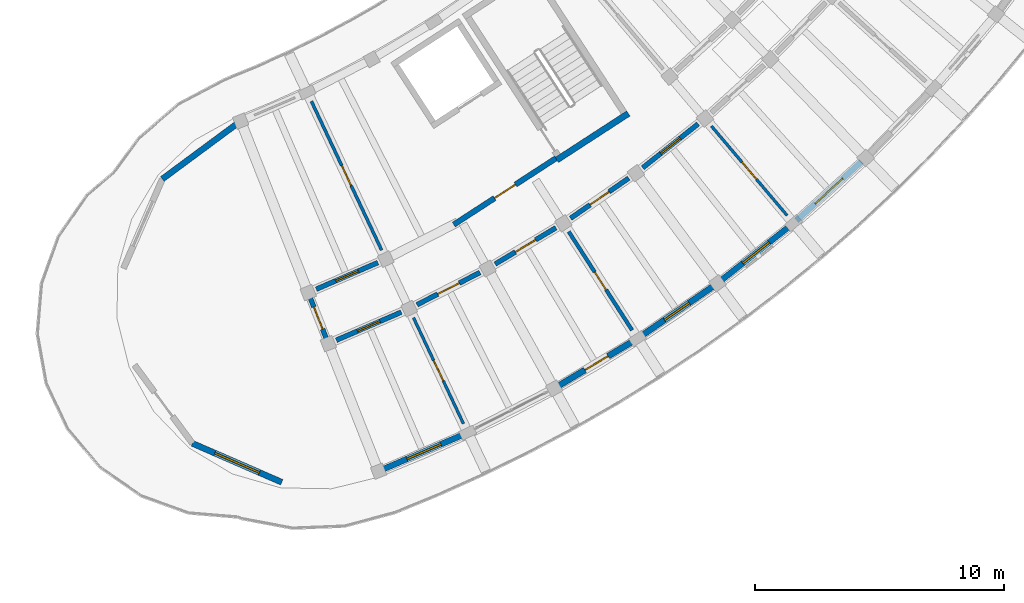
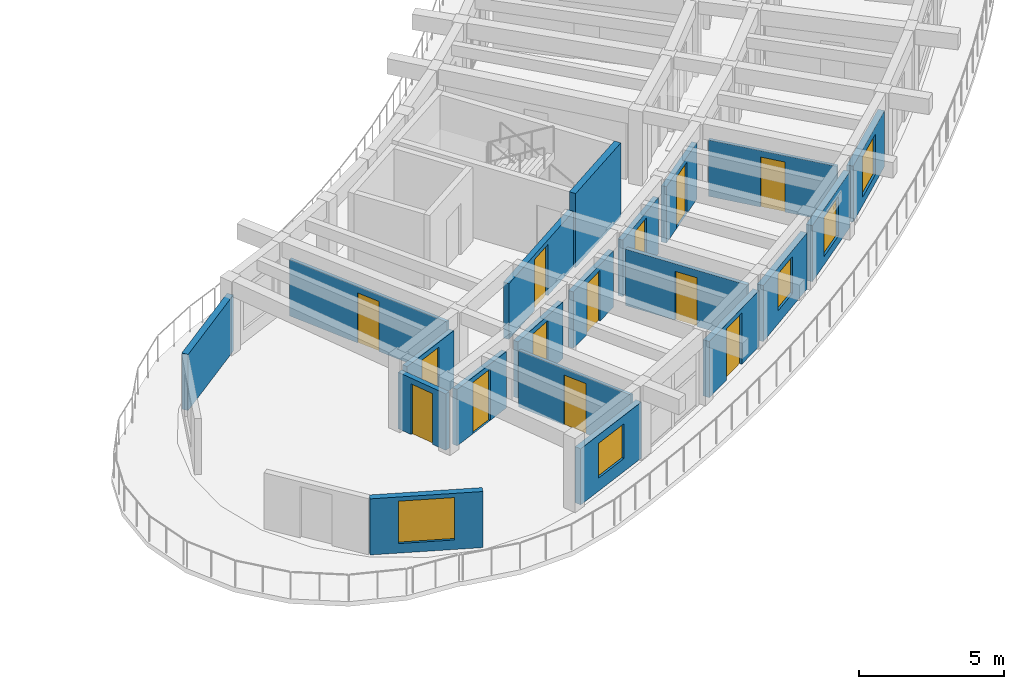
# One storey, part 52 of 83: 20 walls, 13 doors, 5 windows, 18 openings.
"""IFC4 building model written with IfcOpenShell, lengths in metres."""

from ifc_helpers import new_model, si_unit, direction, frame, frame_2d, origin, place, context, subcontext, project, spatial, rectangle, extrude, material, layer, layer_set, type_object, element, fill, save


model = new_model("IFC4")

# Units and contexts
model_context = context("Model", 3, precision=1e-05, world=origin(), true_north=direction((0.0, 1.0)))
body_context = subcontext(model_context, "Body", "Model", "MODEL_VIEW")
ifc_project = project(units=[si_unit("LENGTHUNIT", "METRE"), si_unit("AREAUNIT", "SQUARE_METRE"), si_unit("VOLUMEUNIT", "CUBIC_METRE"), si_unit("PLANEANGLEUNIT", "RADIAN"), si_unit("MASSUNIT", "GRAM", prefix="KILO")], contexts=[model_context])

# Site, building, storey
site_placement = place(None, origin())
site = spatial("IfcSite", under=ifc_project, at=site_placement, CompositionType="ELEMENT")
building_placement = place(site_placement, origin())
building = spatial("IfcBuilding", under=site, at=building_placement, Name="Tanwirah Colonnade Gardens", CompositionType="ELEMENT")
storey_placement = place(building_placement, frame((0.0, 0.0, 25.639892578125)))
storey = spatial("IfcBuildingStorey", under=building, at=storey_placement, Name="L07", CompositionType="ELEMENT", Elevation=25.639892578125)

# Wall, opening, window
ifc_material_1 = material(Name="Limestone architectural precast concrete C40/50", Category="masonry")
ifc_layer_1 = layer(ifc_material_1, 0.239990234375)
ifc_layer_set_1 = layer_set([ifc_layer_1], Name="Limestone architectural precast concrete C40/50")
wall_type_1 = type_object("IfcWallType", Name="EW-PC240", PredefinedType="SOLIDWALL", material=ifc_layer_set_1)
wall_1_placement = place(storey_placement, frame((143.03173828125, 9.182861328125, 0.0), z_axis=(0.0, 0.0, 1.0), x_axis=(0.917928892864, 0.396744940289, 0.0)))
wall_1 = element("IfcWall", 1, at=wall_1_placement, inside=storey, type_object=wall_type_1, Name="Block D L07 OUT Precast Facade Wall 2", PredefinedType="SOLIDWALL", context=body_context, shape_type="SweptSolid", body=[
    extrude(rectangle(XDim=3.511962890625, YDim=0.239990234375, at=frame_2d((1.755859375, 0.0))), origin(), (0.0, 0.0, 1.0), 2.355224609375),
])
opening_1_placement = place(wall_1_placement, frame((1.015869140625, 0.0, 0.550048828125)))
opening_1 = element("IfcOpeningElement", 2, at=opening_1_placement, cuts=wall_1, Name="Opening WIN-U09", PredefinedType="OPENING", context=body_context, shape_type="SweptSolid", body=[
    extrude(rectangle(XDim=1.47998046875, YDim=1.4599609375, at=frame_2d((0.739990234375, 0.72998046875))), frame((0.0, 0.1298828125, 0.0), z_axis=(0.0, -1.0, 0.0), x_axis=(1.0, 0.0, 0.0)), (0.0, 0.0, 1.0), 0.260009765625),
])
ifc_material_2 = material(Name="Thermally broken bronze aluminium and solar low-E double glazing", Category="aluminium")
window_type_1 = type_object("IfcWindowType", Name="WIN-U09", PartitioningType="DOUBLE_PANEL_VERTICAL", PredefinedType="WINDOW", material=ifc_material_2)
window_1_placement = place(opening_1_placement, origin())
window_1 = element("IfcWindow", 3, at=window_1_placement, inside=storey, type_object=window_type_1, Name="Facade window D-L07-OUT-02", OverallHeight=1.4599609375, OverallWidth=1.47998046875, PartitioningType="SINGLE_PANEL", PredefinedType="WINDOW", context=body_context, shape_type="SweptSolid", body=[
    extrude(rectangle(XDim=1.47998046875, YDim=1.4599609375, at=frame_2d((0.739990234375, 0.72998046875))), frame((0.0, 0.030029296875, 0.0), z_axis=(0.0, -1.0, 0.0), x_axis=(1.0, 0.0, 0.0)), (0.0, 0.0, 1.0), 0.06005859375),
])
fill(opening_1, window_1)

# Wall, opening, door
wall_2_placement = place(storey_placement, frame((150.0634765625, 12.53173828125, 0.0), z_axis=(0.0, 0.0, 1.0), x_axis=(0.858277078874, 0.513186570245, 0.0)))
wall_2 = element("IfcWall", 4, at=wall_2_placement, inside=storey, type_object=wall_type_1, Name="Block D L07 OUT Precast Facade Wall 4", PredefinedType="SOLIDWALL", context=body_context, shape_type="SweptSolid", body=[
    extrude(rectangle(XDim=3.511962890625, YDim=0.239990234375, at=frame_2d((1.755859375, 0.0))), origin(), (0.0, 0.0, 1.0), 2.355224609375),
])
opening_2_placement = place(wall_2_placement, frame((1.2158203125, 0.0, 0.0)))
opening_2 = element("IfcOpeningElement", 5, at=opening_2_placement, cuts=wall_2, Name="Opening L07-ED207", PredefinedType="OPENING", context=body_context, shape_type="SweptSolid", body=[
    extrude(rectangle(XDim=1.080078125, YDim=2.14990234375, at=frame_2d((0.5400390625, 1.074951171875))), frame((0.0, 0.1298828125, 0.0), z_axis=(0.0, -1.0, 0.0), x_axis=(1.0, 0.0, 0.0)), (0.0, 0.0, 1.0), 0.260009765625),
])
ifc_material_3 = material(Name="Bronze aluminium glazed balcony door", Category="aluminium")
door_type_1 = type_object("IfcDoorType", Name="ED-BAL108", OperationType="NOTDEFINED", PredefinedType="DOOR", material=ifc_material_3)
door_1_placement = place(opening_2_placement, origin())
door_1 = element("IfcDoor", 6, at=door_1_placement, inside=storey, type_object=door_type_1, Name="Balcony glazed door L07-ED207", OperationType="SINGLE_SWING_RIGHT", OverallHeight=2.14990234375, OverallWidth=1.080078125, PredefinedType="DOOR", context=body_context, shape_type="SweptSolid", body=[
    extrude(rectangle(XDim=1.080078125, YDim=2.14990234375, at=frame_2d((0.5400390625, 1.074951171875))), frame((0.0, 0.02490234375, 0.0), z_axis=(0.0, -1.0, 0.0), x_axis=(1.0, 0.0, 0.0)), (0.0, 0.0, 1.0), 0.050048828125),
])
fill(opening_2, door_1)

# Wall, opening, window
wall_3_placement = place(storey_placement, frame((153.3466796875, 14.507080078125, 0.0), z_axis=(0.0, 0.0, 1.0), x_axis=(0.822902318015, 0.568182871094, 0.0)))
wall_3 = element("IfcWall", 7, at=wall_3_placement, inside=storey, type_object=wall_type_1, Name="Block D L07 OUT Precast Facade Wall 5", PredefinedType="SOLIDWALL", context=body_context, shape_type="SweptSolid", body=[
    extrude(rectangle(XDim=3.51171875, YDim=0.239990234375, at=frame_2d((1.755859375, 0.0))), origin(), (0.0, 0.0, 1.0), 2.355224609375),
])
opening_3_placement = place(wall_3_placement, frame((1.156005859375, 0.0, 0.550048828125)))
opening_3 = element("IfcOpeningElement", 8, at=opening_3_placement, cuts=wall_3, Name="Opening WIN-T02", PredefinedType="OPENING", context=body_context, shape_type="SweptSolid", body=[
    extrude(rectangle(XDim=1.199951171875, YDim=1.550048828125, at=frame_2d((0.60009765625, 0.77490234375))), frame((0.0, 0.1298828125, 0.0), z_axis=(0.0, -1.0, 0.0), x_axis=(1.0, 0.0, 0.0)), (0.0, 0.0, 1.0), 0.260009765625),
])
window_type_2 = type_object("IfcWindowType", Name="WIN-T02", PartitioningType="SINGLE_PANEL", PredefinedType="WINDOW", material=ifc_material_2)
window_2_placement = place(opening_3_placement, origin())
window_2 = element("IfcWindow", 9, at=window_2_placement, inside=storey, type_object=window_type_2, Name="Facade window D-L07-OUT-05", OverallHeight=1.550048828125, OverallWidth=1.199951171875, PartitioningType="SINGLE_PANEL", PredefinedType="WINDOW", context=body_context, shape_type="SweptSolid", body=[
    extrude(rectangle(XDim=1.199951171875, YDim=1.550048828125, at=frame_2d((0.60009765625, 0.77490234375))), frame((0.0, 0.030029296875, 0.0), z_axis=(0.0, -1.0, 0.0), x_axis=(1.0, 0.0, 0.0)), (0.0, 0.0, 1.0), 0.06005859375),
])
fill(opening_3, window_2)

wall_4_placement = place(storey_placement, frame((156.59814453125, 16.77001953125, 0.0), z_axis=(0.0, 0.0, 1.0), x_axis=(0.78396546672, 0.620804435383, 0.0)))
wall_4 = element("IfcWall", 10, at=wall_4_placement, inside=storey, type_object=wall_type_1, Name="Block D L07 OUT Precast Facade Wall 6", PredefinedType="SOLIDWALL", context=body_context, shape_type="SweptSolid", body=[
    extrude(rectangle(XDim=3.511962890625, YDim=0.239990234375, at=frame_2d((1.755859375, 0.0))), origin(), (0.0, 0.0, 1.0), 2.355224609375),
])
opening_4_placement = place(wall_4_placement, frame((1.080810546875, 0.0, 0.35009765625)))
opening_4 = element("IfcOpeningElement", 11, at=opening_4_placement, cuts=wall_4, Name="Opening WIN-T05", PredefinedType="OPENING", context=body_context, shape_type="SweptSolid", body=[
    extrude(rectangle(XDim=1.35009765625, YDim=1.64990234375, at=frame_2d((0.675048828125, 0.824951171875))), frame((0.0, 0.1298828125, 0.0), z_axis=(0.0, -1.0, 0.0), x_axis=(1.0, 0.0, 0.0)), (0.0, 0.0, 1.0), 0.260009765625),
])
window_type_3 = type_object("IfcWindowType", Name="WIN-T05", PartitioningType="DOUBLE_PANEL_VERTICAL", PredefinedType="WINDOW", material=ifc_material_2)
window_3_placement = place(opening_4_placement, origin())
window_3 = element("IfcWindow", 12, at=window_3_placement, inside=storey, type_object=window_type_3, Name="Facade window D-L07-OUT-06", OverallHeight=1.64990234375, OverallWidth=1.35009765625, PartitioningType="SINGLE_PANEL", PredefinedType="WINDOW", context=body_context, shape_type="SweptSolid", body=[
    extrude(rectangle(XDim=1.35009765625, YDim=1.64990234375, at=frame_2d((0.675048828125, 0.824951171875))), frame((0.0, 0.030029296875, 0.0), z_axis=(0.0, -1.0, 0.0), x_axis=(1.0, 0.0, 0.0)), (0.0, 0.0, 1.0), 0.06005859375),
])
fill(opening_4, window_3)

wall_5_placement = place(storey_placement, frame((159.595458984375, 19.15673828125, 0.0), z_axis=(0.0, 0.0, 1.0), x_axis=(0.74163953018, 0.670798633924, 0.0)))
wall_5 = element("IfcWall", 13, at=wall_5_placement, inside=storey, type_object=wall_type_1, Name="Block D L07 OUT Precast Facade Wall 7", PredefinedType="SOLIDWALL", context=body_context, shape_type="SweptSolid", body=[
    extrude(rectangle(XDim=3.51171875, YDim=0.239990234375, at=frame_2d((1.755859375, 0.0))), origin(), (0.0, 0.0, 1.0), 2.355224609375),
])
opening_5_placement = place(wall_5_placement, frame((1.005859375, 0.0, 0.35009765625)))
opening_5 = element("IfcOpeningElement", 14, at=opening_5_placement, cuts=wall_5, Name="Opening WIN-T08", PredefinedType="OPENING", context=body_context, shape_type="SweptSolid", body=[
    extrude(rectangle(XDim=1.5, YDim=1.699951171875, at=frame_2d((0.75, 0.85009765625))), frame((0.0, 0.1298828125, 0.0), z_axis=(0.0, -1.0, 0.0), x_axis=(1.0, 0.0, 0.0)), (0.0, 0.0, 1.0), 0.260009765625),
])
window_type_4 = type_object("IfcWindowType", Name="WIN-T08", PartitioningType="DOUBLE_PANEL_VERTICAL", PredefinedType="WINDOW", material=ifc_material_2)
window_4_placement = place(opening_5_placement, origin())
window_4 = element("IfcWindow", 15, at=window_4_placement, inside=storey, type_object=window_type_4, Name="Facade window D-L07-OUT-07", OverallHeight=1.699951171875, OverallWidth=1.5, PartitioningType="SINGLE_PANEL", PredefinedType="WINDOW", context=body_context, shape_type="SweptSolid", body=[
    extrude(rectangle(XDim=1.5, YDim=1.699951171875, at=frame_2d((0.75, 0.85009765625))), frame((0.0, 0.030029296875, 0.0), z_axis=(0.0, -1.0, 0.0), x_axis=(1.0, 0.0, 0.0)), (0.0, 0.0, 1.0), 0.06005859375),
])
fill(opening_5, window_4)

wall_6_placement = place(storey_placement, frame((138.942138671875, 8.651123046875, 0.0), z_axis=(0.0, 0.0, 1.0), x_axis=(-0.917061117534, 0.398746669838, 0.0)))
wall_6 = element("IfcWall", 16, at=wall_6_placement, inside=storey, type_object=wall_type_1, Name="Block D L07 START Rounded End Wall 1", PredefinedType="SOLIDWALL", context=body_context, shape_type="SweptSolid", body=[
    extrude(rectangle(XDim=3.908203125, YDim=0.239990234375, at=frame_2d((1.9541015625, 0.0))), origin(), (0.0, 0.0, 1.0), 2.355224609375),
])
opening_6_placement = place(wall_6_placement, frame((0.97900390625, 0.0, 0.39990234375)))
opening_6 = element("IfcOpeningElement", 17, at=opening_6_placement, cuts=wall_6, Name="Opening WIN-END2", PredefinedType="OPENING", context=body_context, shape_type="SweptSolid", body=[
    extrude(rectangle(XDim=1.949951171875, YDim=1.780029296875, at=frame_2d((0.97509765625, 0.89013671875))), frame((0.0, 0.1298828125, 0.0), z_axis=(0.0, -1.0, 0.0), x_axis=(1.0, 0.0, 0.0)), (0.0, 0.0, 1.0), 0.260009765625),
])
window_type_5 = type_object("IfcWindowType", Name="WIN-END2", PartitioningType="TRIPLE_PANEL_VERTICAL", PredefinedType="WINDOW", material=ifc_material_2)
window_5_placement = place(opening_6_placement, origin())
window_5 = element("IfcWindow", 18, at=window_5_placement, inside=storey, type_object=window_type_5, Name="Rounded corner window D-L07-START-1", OverallHeight=1.780029296875, OverallWidth=1.949951171875, PartitioningType="SINGLE_PANEL", PredefinedType="WINDOW", context=body_context, shape_type="SweptSolid", body=[
    extrude(rectangle(XDim=1.949951171875, YDim=1.780029296875, at=frame_2d((0.97509765625, 0.89013671875))), frame((0.0, 0.030029296875, 0.0), z_axis=(0.0, -1.0, 0.0), x_axis=(1.0, 0.0, 0.0)), (0.0, 0.0, 1.0), 0.06005859375),
])
fill(opening_6, window_5)

# Wall
wall_7_placement = place(storey_placement, frame((134.1494140625, 20.818359375, 0.0), z_axis=(0.0, 0.0, 1.0), x_axis=(0.803881327532, 0.594789720192, 0.0)))
element("IfcWall", 19, at=wall_7_placement, inside=storey, type_object=wall_type_1, Name="Block D L07 START Rounded End Wall 5", PredefinedType="SOLIDWALL", context=body_context, shape_type="SweptSolid", body=[
    extrude(rectangle(XDim=3.907958984375, YDim=0.239990234375, at=frame_2d((1.9541015625, 0.0))), origin(), (0.0, 0.0, 1.0), 2.355224609375),
])

# Wall, opening, door
ifc_material_4 = material(Name="Precast concrete C40/50", Category="concrete")
ifc_layer_2 = layer(ifc_material_4, 0.195068359375)
ifc_layer_set_2 = layer_set([ifc_layer_2], Name="Precast concrete C40/50")
wall_type_2 = type_object("IfcWallType", Name="IW-CORR195", PredefinedType="PARTITIONING", material=ifc_layer_set_2)
wall_8_placement = place(storey_placement, frame((141.130615234375, 14.349853515625, 0.0), z_axis=(0.0, 0.0, 1.0), x_axis=(0.917943439406, 0.396711282991, 0.0)))
wall_8 = element("IfcWall", 20, at=wall_8_placement, inside=storey, type_object=wall_type_2, Name="Block D L07 OUT Corridor Wall 2", PredefinedType="PARTITIONING", context=body_context, shape_type="SweptSolid", body=[
    extrude(rectangle(XDim=2.837158203125, YDim=0.195068359375, at=frame_2d((1.41845703125, 0.0))), origin(), (0.0, 0.0, 1.0), 2.3701171875),
])
opening_7_placement = place(wall_8_placement, frame((0.923583984375, 0.0, 0.0)))
opening_7 = element("IfcOpeningElement", 21, at=opening_7_placement, cuts=wall_8, Name="Opening L07-AD1902", PredefinedType="OPENING", context=body_context, shape_type="SweptSolid", body=[
    extrude(rectangle(XDim=0.989990234375, YDim=2.159912109375, at=frame_2d((0.4951171875, 1.080078125))), frame((0.0, 0.107421875, 0.0), z_axis=(0.0, -1.0, 0.0), x_axis=(1.0, 0.0, 0.0)), (0.0, 0.0, 1.0), 0.215087890625),
])
ifc_material_5 = material(Name="Solid oak fire-resisting apartment entrance door")
door_type_2 = type_object("IfcDoorType", Name="ID-FLT099", OperationType="NOTDEFINED", PredefinedType="DOOR", material=ifc_material_5)
door_2_placement = place(opening_7_placement, origin())
door_2 = element("IfcDoor", 22, at=door_2_placement, inside=storey, type_object=door_type_2, Name="Apartment corridor door L07-AD1902", OperationType="SINGLE_SWING_RIGHT", OverallHeight=2.159912109375, OverallWidth=0.989990234375, PredefinedType="DOOR", context=body_context, shape_type="SweptSolid", body=[
    extrude(rectangle(XDim=0.989990234375, YDim=2.159912109375, at=frame_2d((0.4951171875, 1.080078125))), frame((0.0, 0.02490234375, 0.0), z_axis=(0.0, -1.0, 0.0), x_axis=(1.0, 0.0, 0.0)), (0.0, 0.0, 1.0), 0.050048828125),
])
fill(opening_7, door_2)

wall_9_placement = place(storey_placement, frame((140.324462890625, 16.396728515625, 0.0), z_axis=(0.0, 0.0, 1.0), x_axis=(0.91793557165, 0.39672948756, 0.0)))
wall_9 = element("IfcWall", 23, at=wall_9_placement, inside=storey, type_object=wall_type_2, Name="Block D L07 IN Corridor Wall 2", PredefinedType="PARTITIONING", context=body_context, shape_type="SweptSolid", body=[
    extrude(rectangle(XDim=2.69287109375, YDim=0.195068359375, at=frame_2d((1.346435546875, 0.0))), origin(), (0.0, 0.0, 1.0), 2.3701171875),
])
opening_8_placement = place(wall_9_placement, frame((0.8515625, 0.0, 0.0)))
opening_8 = element("IfcOpeningElement", 24, at=opening_8_placement, cuts=wall_9, Name="Opening L07-AD1903", PredefinedType="OPENING", context=body_context, shape_type="SweptSolid", body=[
    extrude(rectangle(XDim=0.989990234375, YDim=2.159912109375, at=frame_2d((0.4951171875, 1.080078125))), frame((0.0, 0.107421875, 0.0), z_axis=(0.0, -1.0, 0.0), x_axis=(1.0, 0.0, 0.0)), (0.0, 0.0, 1.0), 0.215087890625),
])
door_3_placement = place(opening_8_placement, origin())
door_3 = element("IfcDoor", 25, at=door_3_placement, inside=storey, type_object=door_type_2, Name="Apartment corridor door L07-AD1903", OperationType="SINGLE_SWING_LEFT", OverallHeight=2.159912109375, OverallWidth=0.989990234375, PredefinedType="DOOR", context=body_context, shape_type="SweptSolid", body=[
    extrude(rectangle(XDim=0.989990234375, YDim=2.159912109375, at=frame_2d((0.4951171875, 1.080078125))), frame((0.0, 0.02490234375, 0.0), z_axis=(0.0, -1.0, 0.0), x_axis=(1.0, 0.0, 0.0)), (0.0, 0.0, 1.0), 0.050048828125),
])
fill(opening_8, door_3)

wall_10_placement = place(storey_placement, frame((144.367431640625, 15.773681640625, 0.0), z_axis=(0.0, 0.0, 1.0), x_axis=(0.890030590607, 0.45590080915, 0.0)))
wall_10 = element("IfcWall", 26, at=wall_10_placement, inside=storey, type_object=wall_type_2, Name="Block D L07 OUT Corridor Wall 3", PredefinedType="PARTITIONING", context=body_context, shape_type="SweptSolid", body=[
    extrude(rectangle(XDim=2.837158203125, YDim=0.195068359375, at=frame_2d((1.41845703125, 0.0))), origin(), (0.0, 0.0, 1.0), 2.3701171875),
])
opening_9_placement = place(wall_10_placement, frame((0.93359375, 0.0, 0.0)))
opening_9 = element("IfcOpeningElement", 27, at=opening_9_placement, cuts=wall_10, Name="Opening L07-AD1906", PredefinedType="OPENING", context=body_context, shape_type="SweptSolid", body=[
    extrude(rectangle(XDim=0.969970703125, YDim=2.14990234375, at=frame_2d((0.48486328125, 1.074951171875))), frame((0.0, 0.107421875, 0.0), z_axis=(0.0, -1.0, 0.0), x_axis=(1.0, 0.0, 0.0)), (0.0, 0.0, 1.0), 0.215087890625),
])
door_type_3 = type_object("IfcDoorType", Name="ID-FLT097", OperationType="NOTDEFINED", PredefinedType="DOOR", material=ifc_material_5)
door_4_placement = place(opening_9_placement, origin())
door_4 = element("IfcDoor", 28, at=door_4_placement, inside=storey, type_object=door_type_3, Name="Apartment corridor door L07-AD1906", OperationType="SINGLE_SWING_LEFT", OverallHeight=2.14990234375, OverallWidth=0.969970703125, PredefinedType="DOOR", context=body_context, shape_type="SweptSolid", body=[
    extrude(rectangle(XDim=0.969970703125, YDim=2.14990234375, at=frame_2d((0.48486328125, 1.074951171875))), frame((0.0, 0.02490234375, 0.0), z_axis=(0.0, -1.0, 0.0), x_axis=(1.0, 0.0, 0.0)), (0.0, 0.0, 1.0), 0.050048828125),
])
fill(opening_9, door_4)

wall_11_placement = place(storey_placement, frame((147.50439453125, 17.406494140625, 0.0), z_axis=(0.0, 0.0, 1.0), x_axis=(0.858281647443, 0.51317892948, 0.0)))
wall_11 = element("IfcWall", 29, at=wall_11_placement, inside=storey, type_object=wall_type_2, Name="Block D L07 OUT Corridor Wall 4", PredefinedType="PARTITIONING", context=body_context, shape_type="SweptSolid", body=[
    extrude(rectangle(XDim=2.8369140625, YDim=0.195068359375, at=frame_2d((1.41845703125, 0.0))), origin(), (0.0, 0.0, 1.0), 2.3701171875),
])
opening_10_placement = place(wall_11_placement, frame((0.943603515625, 0.0, 0.0)))
opening_10 = element("IfcOpeningElement", 30, at=opening_10_placement, cuts=wall_11, Name="Opening L07-AD1907", PredefinedType="OPENING", context=body_context, shape_type="SweptSolid", body=[
    extrude(rectangle(XDim=0.949951171875, YDim=2.1298828125, at=frame_2d((0.47509765625, 1.06494140625))), frame((0.0, 0.107421875, 0.0), z_axis=(0.0, -1.0, 0.0), x_axis=(1.0, 0.0, 0.0)), (0.0, 0.0, 1.0), 0.215087890625),
])
door_type_4 = type_object("IfcDoorType", Name="ID-FLT095", OperationType="NOTDEFINED", PredefinedType="DOOR", material=ifc_material_5)
door_5_placement = place(opening_10_placement, origin())
door_5 = element("IfcDoor", 31, at=door_5_placement, inside=storey, type_object=door_type_4, Name="Apartment corridor door L07-AD1907", OperationType="SINGLE_SWING_RIGHT", OverallHeight=2.1298828125, OverallWidth=0.949951171875, PredefinedType="DOOR", context=body_context, shape_type="SweptSolid", body=[
    extrude(rectangle(XDim=0.949951171875, YDim=2.1298828125, at=frame_2d((0.47509765625, 1.06494140625))), frame((0.0, 0.02490234375, 0.0), z_axis=(0.0, -1.0, 0.0), x_axis=(1.0, 0.0, 0.0)), (0.0, 0.0, 1.0), 0.050048828125),
])
fill(opening_10, door_5)

wall_12_placement = place(storey_placement, frame((150.527587890625, 19.24072265625, 0.0), z_axis=(0.0, 0.0, 1.0), x_axis=(0.822870075235, 0.568229565653, 0.0)))
wall_12 = element("IfcWall", 32, at=wall_12_placement, inside=storey, type_object=wall_type_2, Name="Block D L07 OUT Corridor Wall 5", PredefinedType="PARTITIONING", context=body_context, shape_type="SweptSolid", body=[
    extrude(rectangle(XDim=2.8369140625, YDim=0.195068359375, at=frame_2d((1.41845703125, 0.0))), origin(), (0.0, 0.0, 1.0), 2.3701171875),
])
opening_11_placement = place(wall_12_placement, frame((0.95361328125, 0.0, 0.0)))
opening_11 = element("IfcOpeningElement", 33, at=opening_11_placement, cuts=wall_12, Name="Opening L07-AD1909", PredefinedType="OPENING", context=body_context, shape_type="SweptSolid", body=[
    extrude(rectangle(XDim=0.929931640625, YDim=2.1201171875, at=frame_2d((0.46484375, 1.06005859375))), frame((0.0, 0.107421875, 0.0), z_axis=(0.0, -1.0, 0.0), x_axis=(1.0, 0.0, 0.0)), (0.0, 0.0, 1.0), 0.215087890625),
])
door_type_5 = type_object("IfcDoorType", Name="ID-FLT093", OperationType="NOTDEFINED", PredefinedType="DOOR", material=ifc_material_5)
door_6_placement = place(opening_11_placement, origin())
door_6 = element("IfcDoor", 34, at=door_6_placement, inside=storey, type_object=door_type_5, Name="Apartment corridor door L07-AD1909", OperationType="SINGLE_SWING_LEFT", OverallHeight=2.1201171875, OverallWidth=0.929931640625, PredefinedType="DOOR", context=body_context, shape_type="SweptSolid", body=[
    extrude(rectangle(XDim=0.929931640625, YDim=2.1201171875, at=frame_2d((0.46484375, 1.06005859375))), frame((0.0, 0.02490234375, 0.0), z_axis=(0.0, -1.0, 0.0), x_axis=(1.0, 0.0, 0.0)), (0.0, 0.0, 1.0), 0.050048828125),
])
fill(opening_11, door_6)

wall_13_placement = place(storey_placement, frame((153.424560546875, 21.268798828125, 0.0), z_axis=(0.0, 0.0, 1.0), x_axis=(0.783965548427, 0.620804332201, 0.0)))
wall_13 = element("IfcWall", 35, at=wall_13_placement, inside=storey, type_object=wall_type_2, Name="Block D L07 OUT Corridor Wall 6", PredefinedType="PARTITIONING", context=body_context, shape_type="SweptSolid", body=[
    extrude(rectangle(XDim=2.8369140625, YDim=0.195068359375, at=frame_2d((1.41845703125, 0.0))), origin(), (0.0, 0.0, 1.0), 2.3701171875),
])
opening_12_placement = place(wall_13_placement, frame((0.923583984375, 0.0, 0.0)))
opening_12 = element("IfcOpeningElement", 36, at=opening_12_placement, cuts=wall_13, Name="Opening L07-AD1910", PredefinedType="OPENING", context=body_context, shape_type="SweptSolid", body=[
    extrude(rectangle(XDim=0.989990234375, YDim=2.159912109375, at=frame_2d((0.4951171875, 1.080078125))), frame((0.0, 0.107421875, 0.0), z_axis=(0.0, -1.0, 0.0), x_axis=(1.0, 0.0, 0.0)), (0.0, 0.0, 1.0), 0.215087890625),
])
door_7_placement = place(opening_12_placement, origin())
door_7 = element("IfcDoor", 37, at=door_7_placement, inside=storey, type_object=door_type_2, Name="Apartment corridor door L07-AD1910", OperationType="SINGLE_SWING_RIGHT", OverallHeight=2.159912109375, OverallWidth=0.989990234375, PredefinedType="DOOR", context=body_context, shape_type="SweptSolid", body=[
    extrude(rectangle(XDim=0.989990234375, YDim=2.159912109375, at=frame_2d((0.4951171875, 1.080078125))), frame((0.0, 0.02490234375, 0.0), z_axis=(0.0, -1.0, 0.0), x_axis=(1.0, 0.0, 0.0)), (0.0, 0.0, 1.0), 0.050048828125),
])
fill(opening_12, door_7)

wall_14_placement = place(storey_placement, frame((140.021484375, 16.21142578125, 0.0), z_axis=(0.0, 0.0, 1.0), x_axis=(0.366454372645, -0.930436022932, 0.0)))
wall_14 = element("IfcWall", 38, at=wall_14_placement, inside=storey, type_object=wall_type_2, Name="Block D L07 CS Corner Suite Corridor Wall", PredefinedType="PARTITIONING", context=body_context, shape_type="SweptSolid", body=[
    extrude(rectangle(XDim=2.099853515625, YDim=0.195068359375, at=frame_2d((1.0498046875, 0.0))), origin(), (0.0, 0.0, 1.0), 2.3701171875),
])
opening_13_placement = place(wall_14_placement, frame((0.570068359375, 0.0, 0.0)))
opening_13 = element("IfcOpeningElement", 39, at=opening_13_placement, cuts=wall_14, Name="Opening L07-CD1928", PredefinedType="OPENING", context=body_context, shape_type="SweptSolid", body=[
    extrude(rectangle(XDim=0.949951171875, YDim=2.1298828125, at=frame_2d((0.47509765625, 1.06494140625))), frame((0.0, 0.107421875, 0.0), z_axis=(0.0, -1.0, 0.0), x_axis=(1.0, 0.0, 0.0)), (0.0, 0.0, 1.0), 0.215087890625),
])
door_8_placement = place(opening_13_placement, origin())
door_8 = element("IfcDoor", 40, at=door_8_placement, inside=storey, type_object=door_type_4, Name="Corner suite entrance door L07-CD1928", OperationType="SINGLE_SWING_LEFT", OverallHeight=2.1298828125, OverallWidth=0.949951171875, PredefinedType="DOOR", context=body_context, shape_type="SweptSolid", body=[
    extrude(rectangle(XDim=0.949951171875, YDim=2.1298828125, at=frame_2d((0.47509765625, 1.06494140625))), frame((0.0, 0.02490234375, 0.0), z_axis=(0.0, -1.0, 0.0), x_axis=(1.0, 0.0, 0.0)), (0.0, 0.0, 1.0), 0.050048828125),
])
fill(opening_13, door_8)

ifc_material_6 = material(Name="Autoclaved aerated masonry blockwork", Category="masonry")
ifc_layer_3 = layer(ifc_material_6, 0.219970703125)
ifc_layer_set_3 = layer_set([ifc_layer_3], Name="Autoclaved aerated masonry blockwork")
wall_type_3 = type_object("IfcWallType", Name="IW-FFL220", PredefinedType="PARTITIONING", material=ifc_layer_set_3)
wall_15_placement = place(storey_placement, frame((149.95458984375, 21.658203125, 0.0), z_axis=(0.0, 0.0, 1.0), x_axis=(-0.838681446513, -0.544622283124, 0.0)))
wall_15 = element("IfcWall", 41, at=wall_15_placement, inside=storey, type_object=wall_type_3, Name="CORE-D1 L07 Enclosed Lobby Fire Wall", PredefinedType="PARTITIONING", context=body_context, shape_type="SweptSolid", body=[
    extrude(rectangle(XDim=4.900146484375, YDim=0.219970703125, at=frame_2d((2.4501953125, 0.0))), origin(), (0.0, 0.0, 1.0), 2.340087890625),
])
opening_14_placement = place(wall_15_placement, frame((1.949951171875, 0.0, 0.0)))
opening_14 = element("IfcOpeningElement", 42, at=opening_14_placement, cuts=wall_15, Name="Opening L07-LD187", PredefinedType="OPENING", context=body_context, shape_type="SweptSolid", body=[
    extrude(rectangle(XDim=1.0, YDim=2.14990234375, at=frame_2d((0.5, 1.074951171875))), frame((0.0, 0.119873046875, 0.0), z_axis=(0.0, -1.0, 0.0), x_axis=(1.0, 0.0, 0.0)), (0.0, 0.0, 1.0), 0.239990234375),
])
ifc_material_7 = material(Name="Acoustic fire-resisting lobby door")
door_type_6 = type_object("IfcDoorType", Name="ID-FFL100", OperationType="NOTDEFINED", PredefinedType="DOOR", material=ifc_material_7)
door_9_placement = place(opening_14_placement, origin())
door_9 = element("IfcDoor", 43, at=door_9_placement, inside=storey, type_object=door_type_6, Name="CORE-D1 L07 Lobby Fire Door L07-LD187", OperationType="SINGLE_SWING_RIGHT", OverallHeight=2.14990234375, OverallWidth=1.0, PredefinedType="DOOR", context=body_context, shape_type="SweptSolid", body=[
    extrude(rectangle(XDim=1.0, YDim=2.14990234375, at=frame_2d((0.5, 1.074951171875))), frame((0.0, 0.02490234375, 0.0), z_axis=(0.0, -1.0, 0.0), x_axis=(1.0, 0.0, 0.0)), (0.0, 0.0, 1.0), 0.050048828125),
])
fill(opening_14, door_9)

ifc_material_8 = material(Name="Acoustic gypsum stud partition")
ifc_layer_4 = layer(ifc_material_8, 0.114990234375)
ifc_layer_set_4 = layer_set([ifc_layer_4], Name="Acoustic gypsum stud partition")
wall_type_4 = type_object("IfcWallType", Name="IW-INT115", PredefinedType="PARTITIONING", material=ifc_layer_set_4)
wall_16_placement = place(storey_placement, frame((144.2265625, 15.25244140625, 0.0), z_axis=(0.0, 0.0, 1.0), x_axis=(0.426567365945, -0.904455793453, 0.0)))
wall_16 = element("IfcWall", 44, at=wall_16_placement, inside=storey, type_object=wall_type_4, Name="Block D L07 Radial Partition 2", PredefinedType="PARTITIONING", context=body_context, shape_type="SweptSolid", body=[
    extrude(rectangle(XDim=4.699951171875, YDim=0.114990234375, at=frame_2d((2.35009765625, 0.0))), origin(), (0.0, 0.0, 1.0), 2.3701171875),
])
opening_15_placement = place(wall_16_placement, frame((1.89501953125, 0.0, 0.0)))
opening_15 = element("IfcOpeningElement", 45, at=opening_15_placement, cuts=wall_16, Name="Opening L07-RD1904", PredefinedType="OPENING", context=body_context, shape_type="SweptSolid", body=[
    extrude(rectangle(XDim=0.909912109375, YDim=2.10009765625, at=frame_2d((0.455078125, 1.050048828125))), frame((0.0, 0.0673828125, 0.0), z_axis=(0.0, -1.0, 0.0), x_axis=(1.0, 0.0, 0.0)), (0.0, 0.0, 1.0), 0.135009765625),
])
ifc_material_9 = material(Name="Painted hardwood internal room door", Category="wood")
door_type_7 = type_object("IfcDoorType", Name="ID-RM091", OperationType="NOTDEFINED", PredefinedType="DOOR", material=ifc_material_9)
door_10_placement = place(opening_15_placement, origin())
door_10 = element("IfcDoor", 46, at=door_10_placement, inside=storey, type_object=door_type_7, Name="Internal apartment door L07-RD1904", OperationType="SINGLE_SWING_RIGHT", OverallHeight=2.10009765625, OverallWidth=0.909912109375, PredefinedType="DOOR", context=body_context, shape_type="SweptSolid", body=[
    extrude(rectangle(XDim=0.909912109375, YDim=2.10009765625, at=frame_2d((0.455078125, 1.050048828125))), frame((0.0, 0.02490234375, 0.0), z_axis=(0.0, -1.0, 0.0), x_axis=(1.0, 0.0, 0.0)), (0.0, 0.0, 1.0), 0.050048828125),
])
fill(opening_15, door_10)

wall_17_placement = place(storey_placement, frame((156.181396484375, 22.94189453125, 0.0), z_axis=(0.0, 0.0, 1.0), x_axis=(0.646137818229, -0.76322075434, 0.0)))
wall_17 = element("IfcWall", 47, at=wall_17_placement, inside=storey, type_object=wall_type_4, Name="Block D L07 Radial Partition 6", PredefinedType="PARTITIONING", context=body_context, shape_type="SweptSolid", body=[
    extrude(rectangle(XDim=4.699951171875, YDim=0.114990234375, at=frame_2d((2.35009765625, 0.0))), origin(), (0.0, 0.0, 1.0), 2.3701171875),
])
opening_16_placement = place(wall_17_placement, frame((1.905029296875, 0.0, 0.0)))
opening_16 = element("IfcOpeningElement", 48, at=opening_16_placement, cuts=wall_17, Name="Opening L07-RD1911", PredefinedType="OPENING", context=body_context, shape_type="SweptSolid", body=[
    extrude(rectangle(XDim=0.889892578125, YDim=2.10009765625, at=frame_2d((0.44482421875, 1.050048828125))), frame((0.0, 0.0673828125, 0.0), z_axis=(0.0, -1.0, 0.0), x_axis=(1.0, 0.0, 0.0)), (0.0, 0.0, 1.0), 0.135009765625),
])
ifc_material_10 = material(Name="Painted hardwood bedroom door", Category="wood")
door_type_8 = type_object("IfcDoorType", Name="ID-RM089", OperationType="NOTDEFINED", PredefinedType="DOOR", material=ifc_material_10)
door_11_placement = place(opening_16_placement, origin())
door_11 = element("IfcDoor", 49, at=door_11_placement, inside=storey, type_object=door_type_8, Name="Internal apartment door L07-RD1911", OperationType="SINGLE_SWING_RIGHT", OverallHeight=2.10009765625, OverallWidth=0.889892578125, PredefinedType="DOOR", context=body_context, shape_type="SweptSolid", body=[
    extrude(rectangle(XDim=0.889892578125, YDim=2.10009765625, at=frame_2d((0.44482421875, 1.050048828125))), frame((0.0, 0.02490234375, 0.0), z_axis=(0.0, -1.0, 0.0), x_axis=(1.0, 0.0, 0.0)), (0.0, 0.0, 1.0), 0.050048828125),
])
fill(opening_16, door_11)

ifc_material_11 = material(Name="Moisture-resistant gypsum stud partition")
ifc_layer_5 = layer(ifc_material_11, 0.125)
ifc_layer_set_5 = layer_set([ifc_layer_5], Name="Moisture-resistant gypsum stud partition")
wall_type_5 = type_object("IfcWallType", Name="IW-INT125", PredefinedType="PARTITIONING", material=ifc_layer_set_5)
wall_18_placement = place(storey_placement, frame((140.131591796875, 23.935302734375, 0.0), z_axis=(0.0, 0.0, 1.0), x_axis=(0.426573573579, -0.904452865728, 0.0)))
wall_18 = element("IfcWall", 50, at=wall_18_placement, inside=storey, type_object=wall_type_5, Name="Block D L07 Inner Radial Partition 2", PredefinedType="PARTITIONING", context=body_context, shape_type="SweptSolid", body=[
    extrude(rectangle(XDim=6.60009765625, YDim=0.125, at=frame_2d((3.300048828125, 0.0))), origin(), (0.0, 0.0, 1.0), 2.3701171875),
])
opening_17_placement = place(wall_18_placement, frame((2.85498046875, 0.0, 0.0)))
opening_17 = element("IfcOpeningElement", 51, at=opening_17_placement, cuts=wall_18, Name="Opening L07-RD1905", PredefinedType="OPENING", context=body_context, shape_type="SweptSolid", body=[
    extrude(rectangle(XDim=0.889892578125, YDim=2.10009765625, at=frame_2d((0.44482421875, 1.050048828125))), frame((0.0, 0.072509765625, 0.0), z_axis=(0.0, -1.0, 0.0), x_axis=(1.0, 0.0, 0.0)), (0.0, 0.0, 1.0), 0.14501953125),
])
door_12_placement = place(opening_17_placement, origin())
door_12 = element("IfcDoor", 52, at=door_12_placement, inside=storey, type_object=door_type_8, Name="Internal apartment door L07-RD1905", OperationType="SINGLE_SWING_LEFT", OverallHeight=2.10009765625, OverallWidth=0.889892578125, PredefinedType="DOOR", context=body_context, shape_type="SweptSolid", body=[
    extrude(rectangle(XDim=0.889892578125, YDim=2.10009765625, at=frame_2d((0.44482421875, 1.050048828125))), frame((0.0, 0.02490234375, 0.0), z_axis=(0.0, -1.0, 0.0), x_axis=(1.0, 0.0, 0.0)), (0.0, 0.0, 1.0), 0.050048828125),
])
fill(opening_17, door_12)

ifc_material_12 = material(Name="Water-resistant acoustic plumbing partition")
ifc_layer_6 = layer(ifc_material_12, 0.14990234375)
ifc_layer_set_6 = layer_set([ifc_layer_6], Name="Water-resistant acoustic plumbing partition")
wall_type_6 = type_object("IfcWallType", Name="IW-WET150", PredefinedType="PLUMBINGWALL", material=ifc_layer_set_6)
wall_19_placement = place(storey_placement, frame((150.4560546875, 18.705322265625, 0.0), z_axis=(0.0, 0.0, 1.0), x_axis=(0.540959731567, -0.84104849374, 0.0)))
wall_19 = element("IfcWall", 53, at=wall_19_placement, inside=storey, type_object=wall_type_6, Name="Block D L07 Radial Partition 4", PredefinedType="PLUMBINGWALL", context=body_context, shape_type="SweptSolid", body=[
    extrude(rectangle(XDim=4.699951171875, YDim=0.14990234375, at=frame_2d((2.35009765625, 0.0))), origin(), (0.0, 0.0, 1.0), 2.3701171875),
])
opening_18_placement = place(wall_19_placement, frame((1.925048828125, 0.0, 0.0)))
opening_18 = element("IfcOpeningElement", 54, at=opening_18_placement, cuts=wall_19, Name="Opening L07-RD1908", PredefinedType="OPENING", context=body_context, shape_type="SweptSolid", body=[
    extrude(rectangle(XDim=0.85009765625, YDim=2.050048828125, at=frame_2d((0.425048828125, 1.02490234375))), frame((0.0, 0.0849609375, 0.0), z_axis=(0.0, -1.0, 0.0), x_axis=(1.0, 0.0, 0.0)), (0.0, 0.0, 1.0), 0.169921875),
])
ifc_material_13 = material(Name="Moisture-resistant en-suite door")
door_type_9 = type_object("IfcDoorType", Name="ID-WET085", OperationType="NOTDEFINED", PredefinedType="DOOR", material=ifc_material_13)
door_13_placement = place(opening_18_placement, origin())
door_13 = element("IfcDoor", 55, at=door_13_placement, inside=storey, type_object=door_type_9, Name="Internal apartment door L07-RD1908", OperationType="SINGLE_SWING_RIGHT", OverallHeight=2.050048828125, OverallWidth=0.85009765625, PredefinedType="DOOR", context=body_context, shape_type="SweptSolid", body=[
    extrude(rectangle(XDim=0.85009765625, YDim=2.050048828125, at=frame_2d((0.425048828125, 1.02490234375))), frame((0.0, 0.02490234375, 0.0), z_axis=(0.0, -1.0, 0.0), x_axis=(1.0, 0.0, 0.0)), (0.0, 0.0, 1.0), 0.050048828125),
])
fill(opening_18, door_13)

# Wall
ifc_material_14 = material(Name="Concrete C45/55", Category="concrete")
ifc_layer_7 = layer(ifc_material_14, 0.25)
ifc_layer_set_7 = layer_set([ifc_layer_7], Name="Concrete C45/55")
wall_type_7 = type_object("IfcWallType", Name="SW-CORE250", PredefinedType="SHEAR", material=ifc_layer_set_7)
wall_20_placement = place(storey_placement, frame((152.846923828125, 23.447021484375, 0.0), z_axis=(0.0, 0.0, 1.0), x_axis=(-0.838645798734, -0.544677174357, 0.0)))
element("IfcWall", 56, at=wall_20_placement, inside=storey, type_object=wall_type_7, Name="CORE-D1 L07 Stair Shaft Shear Wall NEAR", PredefinedType="SHEAR", context=body_context, shape_type="SweptSolid", body=[
    extrude(rectangle(XDim=3.419921875, YDim=0.25, at=frame_2d((1.7099609375, 0.0))), origin(), (0.0, 0.0, 1.0), 3.110107421875),
])

save(model, "model.ifc")
